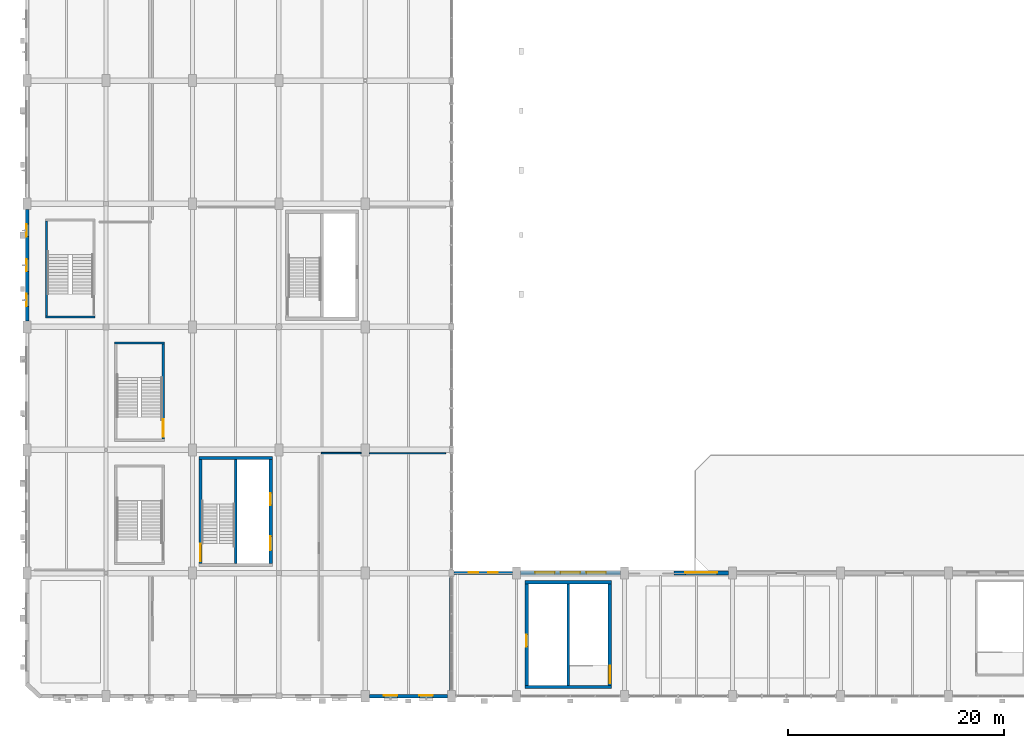
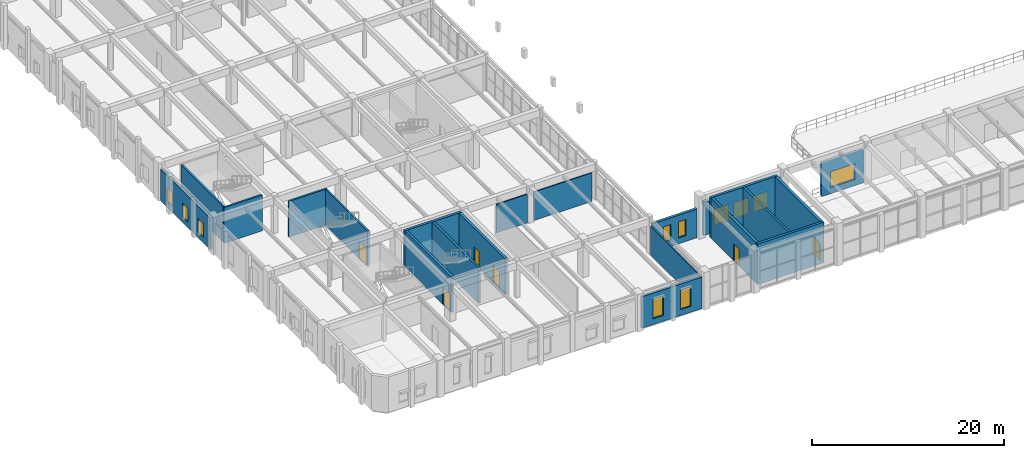
# One storey, part 80 of 106: 21 walls, 11 windows, 6 doors, 17 openings.
"""IFC4 building model written with IfcOpenShell, lengths in metres."""

from ifc_helpers import new_model, si_unit, direction, frame, frame_2d, origin, place, context, subcontext, project, spatial, rectangle, extrude, material, layer, layer_set, type_object, element, fill, save


model = new_model("IFC4")

# Units and contexts
model_context = context("Model", 3, precision=1e-05, world=origin(), true_north=direction((0.0, 1.0)))
body_context = subcontext(model_context, "Body", "Model", "MODEL_VIEW")
ifc_project = project(units=[si_unit("LENGTHUNIT", "METRE"), si_unit("AREAUNIT", "SQUARE_METRE"), si_unit("VOLUMEUNIT", "CUBIC_METRE"), si_unit("PLANEANGLEUNIT", "RADIAN"), si_unit("MASSUNIT", "GRAM", prefix="KILO"), si_unit("POWERUNIT", "WATT"), si_unit("THERMODYNAMICTEMPERATUREUNIT", "KELVIN")], contexts=[model_context])

# Site, building, storey
site_placement = place(None, origin())
site = spatial("IfcSite", under=ifc_project, at=site_placement, CompositionType="ELEMENT")
building_placement = place(site_placement, origin())
building = spatial("IfcBuilding", under=site, at=building_placement, Name="Kelmbourne Parkland Aquatics Centre", CompositionType="ELEMENT")
storey_placement = place(building_placement, frame((0.0, 0.0, 5.39990234375)))
storey = spatial("IfcBuildingStorey", under=building, at=storey_placement, Name="L01", CompositionType="ELEMENT", Elevation=5.39990234375)

# Walls
ifc_material_1 = material(Name="Concrete C40/50", Category="concrete")
ifc_layer_1 = layer(ifc_material_1, 0.25)
ifc_layer_set_1 = layer_set([ifc_layer_1], Name="Concrete C40/50")
wall_type_1 = type_object("IfcWallType", Name="W-CORE-250", PredefinedType="SHEAR", material=ifc_layer_set_1)
wall_1_placement = place(storey_placement, frame((20.0, 13.10009765625, 0.0), z_axis=(0.0, 0.0, 1.0), x_axis=(0.0, 1.0, 0.0)))
element("IfcWall", 1, at=wall_1_placement, inside=storey, type_object=wall_type_1, Name="West Wing South Fire-Fighting Core divider wall (L01)", PredefinedType="SHEAR", context=body_context, shape_type="SweptSolid", body=[
    extrude(rectangle(XDim=9.599853515625, YDim=0.25, at=frame_2d((4.7998046875, 0.0))), origin(), (0.0, 0.0, 1.0), 4.56005859375),
])
wall_2_placement = place(storey_placement, frame((50.800048828125, 1.800048828125, 0.0), z_axis=(0.0, 0.0, 1.0), x_axis=(0.0, 1.0, 0.0)))
element("IfcWall", 2, at=wall_2_placement, inside=storey, type_object=wall_type_1, Name="South Entrance Foyer Gallery Core divider wall (L01)", PredefinedType="SHEAR", context=body_context, shape_type="SweptSolid", body=[
    extrude(rectangle(XDim=9.39990234375, YDim=0.25, at=frame_2d((4.699951171875, 0.0))), origin(), (0.0, 0.0, 1.0), 5.16015625),
])
ifc_layer_2 = layer(ifc_material_1, 0.300048828125)
ifc_layer_set_2 = layer_set([ifc_layer_2], Name="Concrete C40/50")
wall_type_2 = type_object("IfcWallType", Name="W-CORE-300", PredefinedType="SHEAR", material=ifc_layer_set_2)
wall_3_placement = place(storey_placement, frame((16.60009765625, 22.85009765625, 0.0), z_axis=(0.0, 0.0, 1.0), x_axis=(1.0, 0.0, 0.0)))
element("IfcWall", 3, at=wall_3_placement, inside=storey, type_object=wall_type_2, Name="West Wing South Fire-Fighting Core north wall (L01)", PredefinedType="SHEAR", context=body_context, shape_type="SweptSolid", body=[
    extrude(rectangle(XDim=6.7998046875, YDim=0.300048828125, at=frame_2d((3.39990234375, 0.0))), origin(), (0.0, 0.0, 1.0), 4.56005859375),
])

# Wall, opening, door
wall_4_placement = place(storey_placement, frame((16.75, 13.10009765625, 0.0), z_axis=(0.0, 0.0, 1.0), x_axis=(0.0, 1.0, 0.0)))
wall_4 = element("IfcWall", 4, at=wall_4_placement, inside=storey, type_object=wall_type_2, Name="West Wing South Fire-Fighting Core west wall (L01)", PredefinedType="SHEAR", context=body_context, shape_type="SweptSolid", body=[
    extrude(rectangle(XDim=9.599853515625, YDim=0.300048828125, at=frame_2d((4.7998046875, 0.0))), origin(), (0.0, 0.0, 1.0), 4.56005859375),
])
opening_1_placement = place(wall_4_placement, frame((0.199951171875, 0.0, 0.0)))
opening_1 = element("IfcOpeningElement", 5, at=opening_1_placement, cuts=wall_4, Name="Opening FD02", PredefinedType="OPENING", context=body_context, shape_type="SweptSolid", body=[
    extrude(rectangle(XDim=1.60009765625, YDim=2.199951171875, at=frame_2d((0.800048828125, 1.10009765625))), frame((0.0, 0.162109375, 0.0), z_axis=(0.0, -1.0, 0.0), x_axis=(1.0, 0.0, 0.0)), (0.0, 0.0, 1.0), 0.323974609375),
])
ifc_material_2 = material(Name="Marine-grade stainless steel and fire-rated hardwood doorset", Category="steel")
ifc_layer_3 = layer(ifc_material_2, 0.050048828125)
ifc_layer_set_3 = layer_set([ifc_layer_3], Name="Marine-grade stainless steel and fire-rated hardwood doorset")
door_type_1 = type_object("IfcDoorType", Name="DR-FD-160", OperationType="NOTDEFINED", PredefinedType="DOOR", material=ifc_layer_set_3)
door_1_placement = place(opening_1_placement, origin())
door_1 = element("IfcDoor", 6, at=door_1_placement, inside=storey, type_object=door_type_1, Name="Fire stair door ST01 (L01)", OperationType="DOUBLE_DOOR_SINGLE_SWING", OverallHeight=2.199951171875, OverallWidth=1.60009765625, PredefinedType="DOOR", context=body_context, shape_type="SweptSolid", body=[
    extrude(rectangle(XDim=1.60009765625, YDim=2.199951171875, at=frame_2d((0.800048828125, 1.10009765625))), frame((0.0, 0.02490234375, 0.0), z_axis=(0.0, -1.0, 0.0), x_axis=(1.0, 0.0, 0.0)), (0.0, 0.0, 1.0), 0.050048828125),
])
fill(opening_1, door_1)

# Wall, openings, doors
wall_5_placement = place(storey_placement, frame((23.25, 13.10009765625, 0.0), z_axis=(0.0, 0.0, 1.0), x_axis=(0.0, 1.0, 0.0)))
wall_5 = element("IfcWall", 7, at=wall_5_placement, inside=storey, type_object=wall_type_2, Name="West Wing South Fire-Fighting Core east wall (L01)", PredefinedType="SHEAR", context=body_context, shape_type="SweptSolid", body=[
    extrude(rectangle(XDim=9.599853515625, YDim=0.300048828125, at=frame_2d((4.7998046875, 0.0))), origin(), (0.0, 0.0, 1.0), 4.56005859375),
])
opening_2_placement = place(wall_5_placement, frame((1.199951171875, 0.0, 0.0)))
opening_2 = element("IfcOpeningElement", 8, at=opening_2_placement, cuts=wall_5, Name="Opening LD02", PredefinedType="OPENING", context=body_context, shape_type="SweptSolid", body=[
    extrude(rectangle(XDim=1.300048828125, YDim=2.199951171875, at=frame_2d((0.64990234375, 1.10009765625))), frame((0.0, 0.162109375, 0.0), z_axis=(0.0, -1.0, 0.0), x_axis=(1.0, 0.0, 0.0)), (0.0, 0.0, 1.0), 0.323974609375),
])
opening_3_placement = place(wall_5_placement, frame((5.39990234375, 0.0, 0.0)))
opening_3 = element("IfcOpeningElement", 9, at=opening_3_placement, cuts=wall_5, Name="Opening LD01", PredefinedType="OPENING", context=body_context, shape_type="SweptSolid", body=[
    extrude(rectangle(XDim=1.10009765625, YDim=2.199951171875, at=frame_2d((0.550048828125, 1.10009765625))), frame((0.0, 0.162109375, 0.0), z_axis=(0.0, -1.0, 0.0), x_axis=(1.0, 0.0, 0.0)), (0.0, 0.0, 1.0), 0.323974609375),
])
ifc_layer_4 = layer(ifc_material_2, 0.050048828125)
ifc_layer_set_4 = layer_set([ifc_layer_4], Name="Marine-grade stainless steel and fire-rated hardwood doorset")
door_type_2 = type_object("IfcDoorType", Name="DR-LD-110", OperationType="NOTDEFINED", PredefinedType="DOOR", material=ifc_layer_set_4)
door_2_placement = place(opening_3_placement, origin())
door_2 = element("IfcDoor", 10, at=door_2_placement, inside=storey, type_object=door_type_2, Name="Lift landing sliding door LF02 (L01)", OperationType="SLIDING_TO_RIGHT", OverallHeight=2.199951171875, OverallWidth=1.10009765625, PredefinedType="DOOR", context=body_context, shape_type="SweptSolid", body=[
    extrude(rectangle(XDim=1.10009765625, YDim=2.199951171875, at=frame_2d((0.550048828125, 1.10009765625))), frame((0.0, 0.02490234375, 0.0), z_axis=(0.0, -1.0, 0.0), x_axis=(1.0, 0.0, 0.0)), (0.0, 0.0, 1.0), 0.050048828125),
])
fill(opening_3, door_2)
ifc_layer_5 = layer(ifc_material_2, 0.050048828125)
ifc_layer_set_5 = layer_set([ifc_layer_5], Name="Marine-grade stainless steel and fire-rated hardwood doorset")
door_type_3 = type_object("IfcDoorType", Name="DR-LD-130", OperationType="NOTDEFINED", PredefinedType="DOOR", material=ifc_layer_set_5)
door_3_placement = place(opening_2_placement, origin())
door_3 = element("IfcDoor", 11, at=door_3_placement, inside=storey, type_object=door_type_3, Name="Lift landing sliding door LF01 (L01)", OperationType="SLIDING_TO_LEFT", OverallHeight=2.199951171875, OverallWidth=1.300048828125, PredefinedType="DOOR", context=body_context, shape_type="SweptSolid", body=[
    extrude(rectangle(XDim=1.300048828125, YDim=2.199951171875, at=frame_2d((0.64990234375, 1.10009765625))), frame((0.0, 0.02490234375, 0.0), z_axis=(0.0, -1.0, 0.0), x_axis=(1.0, 0.0, 0.0)), (0.0, 0.0, 1.0), 0.050048828125),
])
fill(opening_2, door_3)

# Walls
for number, where, z_axis, x_axis, name in (
    (12, (46.800048828125, 1.64990234375, 0.0), (0.0, 0.0, 1.0), (1.0, 0.0, 0.0), "South Entrance Foyer Gallery Core south wall (L01)"),
    (13, (46.800048828125, 11.35009765625, 0.0), (0.0, 0.0, 1.0), (1.0, 0.0, 0.0), "South Entrance Foyer Gallery Core north wall (L01)"),
):
    element("IfcWall", number, at=place(storey_placement, frame(where, z_axis=z_axis, x_axis=x_axis)), inside=storey, type_object=wall_type_2, Name=name, PredefinedType="SHEAR", context=body_context, shape_type="SweptSolid", body=[
        extrude(rectangle(XDim=8.0, YDim=0.300048828125, at=frame_2d((4.0, 0.0))), origin(), (0.0, 0.0, 1.0), 5.16015625),
    ])

# Wall, opening, door
wall_6_placement = place(storey_placement, frame((46.949951171875, 1.800048828125, 0.0), z_axis=(0.0, 0.0, 1.0), x_axis=(0.0, 1.0, 0.0)))
wall_6 = element("IfcWall", 14, at=wall_6_placement, inside=storey, type_object=wall_type_2, Name="South Entrance Foyer Gallery Core west wall (L01)", PredefinedType="SHEAR", context=body_context, shape_type="SweptSolid", body=[
    extrude(rectangle(XDim=9.39990234375, YDim=0.300048828125, at=frame_2d((4.699951171875, 0.0))), origin(), (0.0, 0.0, 1.0), 5.16015625),
])
opening_4_placement = place(wall_6_placement, frame((3.60009765625, 0.0, 0.0)))
opening_4 = element("IfcOpeningElement", 15, at=opening_4_placement, cuts=wall_6, Name="Opening LD01", PredefinedType="OPENING", context=body_context, shape_type="SweptSolid", body=[
    extrude(rectangle(XDim=1.10009765625, YDim=2.199951171875, at=frame_2d((0.550048828125, 1.10009765625))), frame((0.0, 0.162109375, 0.0), z_axis=(0.0, -1.0, 0.0), x_axis=(1.0, 0.0, 0.0)), (0.0, 0.0, 1.0), 0.323974609375),
])
door_4_placement = place(opening_4_placement, origin())
door_4 = element("IfcDoor", 16, at=door_4_placement, inside=storey, type_object=door_type_2, Name="Lift landing sliding door LF04 (L01)", OperationType="SLIDING_TO_LEFT", OverallHeight=2.199951171875, OverallWidth=1.10009765625, PredefinedType="DOOR", context=body_context, shape_type="SweptSolid", body=[
    extrude(rectangle(XDim=1.10009765625, YDim=2.199951171875, at=frame_2d((0.550048828125, 1.10009765625))), frame((0.0, 0.02490234375, 0.0), z_axis=(0.0, -1.0, 0.0), x_axis=(1.0, 0.0, 0.0)), (0.0, 0.0, 1.0), 0.050048828125),
])
fill(opening_4, door_4)

wall_7_placement = place(storey_placement, frame((54.64990234375, 1.800048828125, 0.0), z_axis=(0.0, 0.0, 1.0), x_axis=(0.0, 1.0, 0.0)))
wall_7 = element("IfcWall", 17, at=wall_7_placement, inside=storey, type_object=wall_type_2, Name="South Entrance Foyer Gallery Core east wall (L01)", PredefinedType="SHEAR", context=body_context, shape_type="SweptSolid", body=[
    extrude(rectangle(XDim=9.39990234375, YDim=0.300048828125, at=frame_2d((4.699951171875, 0.0))), origin(), (0.0, 0.0, 1.0), 5.16015625),
])
opening_5_placement = place(wall_7_placement, frame((0.199951171875, 0.0, 0.0)))
opening_5 = element("IfcOpeningElement", 18, at=opening_5_placement, cuts=wall_7, Name="Opening FD02", PredefinedType="OPENING", context=body_context, shape_type="SweptSolid", body=[
    extrude(rectangle(XDim=1.60009765625, YDim=2.199951171875, at=frame_2d((0.800048828125, 1.10009765625))), frame((0.0, 0.162109375, 0.0), z_axis=(0.0, -1.0, 0.0), x_axis=(1.0, 0.0, 0.0)), (0.0, 0.0, 1.0), 0.323974609375),
])
door_5_placement = place(opening_5_placement, frame((1.60009765625, 0.0, 0.0), z_axis=(0.0, 0.0, 1.0), x_axis=(-1.0, 0.0, 0.0)))
door_5 = element("IfcDoor", 19, at=door_5_placement, inside=storey, type_object=door_type_1, Name="Fire stair door ST03 (L01)", OperationType="DOUBLE_DOOR_SINGLE_SWING", OverallHeight=2.199951171875, OverallWidth=1.60009765625, PredefinedType="DOOR", context=body_context, shape_type="SweptSolid", body=[
    extrude(rectangle(XDim=1.60009765625, YDim=2.199951171875, at=frame_2d((0.800048828125, 1.10009765625))), frame((0.0, 0.02490234375, 0.0), z_axis=(0.0, -1.0, 0.0), x_axis=(1.0, 0.0, 0.0)), (0.0, 0.0, 1.0), 0.050048828125),
])
fill(opening_5, door_5)

# Wall, openings, windows
ifc_material_3 = material(Name="Russet clinker clay brickwork", Category="masonry")
ifc_layer_6 = layer(ifc_material_3, 0.31005859375)
ifc_layer_set_6 = layer_set([ifc_layer_6], Name="Russet clinker clay brickwork")
wall_type_3 = type_object("IfcWallType", Name="W-EXT-310", PredefinedType="STANDARD", material=ifc_layer_set_6)
wall_8_placement = place(storey_placement, frame((0.699951171875, 35.552001953125, 0.0), z_axis=(0.0, 0.0, 1.0), x_axis=(0.0, 1.0, 0.0)))
wall_8 = element("IfcWall", 20, at=wall_8_placement, inside=storey, type_object=wall_type_3, Name="Exterior polychrome brick wall EW-L01-059", PredefinedType="STANDARD", context=body_context, shape_type="SweptSolid", body=[
    extrude(rectangle(XDim=10.2958984375, YDim=0.31005859375, at=frame_2d((5.14794921875, 0.0))), origin(), (0.0, 0.0, 1.0), 4.01220703125),
])
opening_6_placement = place(wall_8_placement, frame((1.35009765625, 0.0, 0.75)))
opening_6 = element("IfcOpeningElement", 21, at=opening_6_placement, cuts=wall_8, Name="Opening W02", PredefinedType="OPENING", context=body_context, shape_type="SweptSolid", body=[
    extrude(rectangle(XDim=1.14990234375, YDim=1.75, at=frame_2d((0.574951171875, 0.875))), frame((0.0, 0.1669921875, 0.0), z_axis=(0.0, -1.0, 0.0), x_axis=(1.0, 0.0, 0.0)), (0.0, 0.0, 1.0), 0.333984375),
])
opening_7_placement = place(wall_8_placement, frame((4.572998046875, 0.0, 0.75)))
opening_7 = element("IfcOpeningElement", 22, at=opening_7_placement, cuts=wall_8, Name="Opening W02", PredefinedType="OPENING", context=body_context, shape_type="SweptSolid", body=[
    extrude(rectangle(XDim=1.14990234375, YDim=1.75, at=frame_2d((0.574951171875, 0.875))), frame((0.0, 0.1669921875, 0.0), z_axis=(0.0, -1.0, 0.0), x_axis=(1.0, 0.0, 0.0)), (0.0, 0.0, 1.0), 0.333984375),
])
opening_8_placement = place(wall_8_placement, frame((7.7958984375, 0.0, 0.75)))
opening_8 = element("IfcOpeningElement", 23, at=opening_8_placement, cuts=wall_8, Name="Opening W02", PredefinedType="OPENING", context=body_context, shape_type="SweptSolid", body=[
    extrude(rectangle(XDim=1.14990234375, YDim=1.75, at=frame_2d((0.574951171875, 0.875))), frame((0.0, 0.1669921875, 0.0), z_axis=(0.0, -1.0, 0.0), x_axis=(1.0, 0.0, 0.0)), (0.0, 0.0, 1.0), 0.333984375),
])
ifc_material_4 = material(Name="Thermally broken anodised aluminium window with low-e glass", Category="aluminium")
ifc_layer_7 = layer(ifc_material_4, 0.090087890625)
ifc_layer_set_7 = layer_set([ifc_layer_7], Name="Thermally broken anodised aluminium window with low-e glass")
window_type_1 = type_object("IfcWindowType", Name="WN-02", PartitioningType="SINGLE_PANEL", PredefinedType="WINDOW", material=ifc_layer_set_7)
window_1_placement = place(opening_6_placement, origin())
window_1 = element("IfcWindow", 24, at=window_1_placement, inside=storey, type_object=window_type_1, Name="Deep-reveal masonry window W02", OverallHeight=1.75, OverallWidth=1.14990234375, PartitioningType="SINGLE_PANEL", PredefinedType="WINDOW", context=body_context, shape_type="SweptSolid", body=[
    extrude(rectangle(XDim=1.14990234375, YDim=1.75, at=frame_2d((0.574951171875, 0.875))), frame((0.0, 0.080078125, 0.0), z_axis=(0.0, -1.0, 0.0), x_axis=(1.0, 0.0, 0.0)), (0.0, 0.0, 1.0), 0.06005859375),
])
fill(opening_6, window_1)
window_2_placement = place(opening_7_placement, origin())
window_2 = element("IfcWindow", 25, at=window_2_placement, inside=storey, type_object=window_type_1, Name="Deep-reveal masonry window W02", OverallHeight=1.75, OverallWidth=1.14990234375, PartitioningType="SINGLE_PANEL", PredefinedType="WINDOW", context=body_context, shape_type="SweptSolid", body=[
    extrude(rectangle(XDim=1.14990234375, YDim=1.75, at=frame_2d((0.574951171875, 0.875))), frame((0.0, 0.080078125, 0.0), z_axis=(0.0, -1.0, 0.0), x_axis=(1.0, 0.0, 0.0)), (0.0, 0.0, 1.0), 0.06005859375),
])
fill(opening_7, window_2)
window_3_placement = place(opening_8_placement, origin())
window_3 = element("IfcWindow", 26, at=window_3_placement, inside=storey, type_object=window_type_1, Name="Deep-reveal masonry window W02", OverallHeight=1.75, OverallWidth=1.14990234375, PartitioningType="SINGLE_PANEL", PredefinedType="WINDOW", context=body_context, shape_type="SweptSolid", body=[
    extrude(rectangle(XDim=1.14990234375, YDim=1.75, at=frame_2d((0.574951171875, 0.875))), frame((0.0, 0.080078125, 0.0), z_axis=(0.0, -1.0, 0.0), x_axis=(1.0, 0.0, 0.0)), (0.0, 0.0, 1.0), 0.06005859375),
])
fill(opening_8, window_3)

wall_9_placement = place(storey_placement, frame((32.376953125, 0.800048828125, 0.0), z_axis=(0.0, 0.0, 1.0), x_axis=(1.0, 0.0, 0.0)))
wall_9 = element("IfcWall", 27, at=wall_9_placement, inside=storey, type_object=wall_type_3, Name="Exterior polychrome brick wall EW-L01-068", PredefinedType="STANDARD", context=body_context, shape_type="SweptSolid", body=[
    extrude(rectangle(XDim=7.24609375, YDim=0.31005859375, at=frame_2d((3.623046875, 0.0))), origin(), (0.0, 0.0, 1.0), 4.01220703125),
])
opening_9_placement = place(wall_9_placement, frame((1.35009765625, 0.0, 0.75)))
opening_9 = element("IfcOpeningElement", 28, at=opening_9_placement, cuts=wall_9, Name="Opening W25", PredefinedType="OPENING", context=body_context, shape_type="SweptSolid", body=[
    extrude(rectangle(XDim=1.25, YDim=2.5, at=frame_2d((0.625, 1.25))), frame((0.0, 0.1669921875, 0.0), z_axis=(0.0, -1.0, 0.0), x_axis=(1.0, 0.0, 0.0)), (0.0, 0.0, 1.0), 0.333984375),
])
opening_10_placement = place(wall_9_placement, frame((4.64599609375, 0.0, 0.75)))
opening_10 = element("IfcOpeningElement", 29, at=opening_10_placement, cuts=wall_9, Name="Opening W25", PredefinedType="OPENING", context=body_context, shape_type="SweptSolid", body=[
    extrude(rectangle(XDim=1.25, YDim=2.5, at=frame_2d((0.625, 1.25))), frame((0.0, 0.1669921875, 0.0), z_axis=(0.0, -1.0, 0.0), x_axis=(1.0, 0.0, 0.0)), (0.0, 0.0, 1.0), 0.333984375),
])
ifc_layer_8 = layer(ifc_material_4, 0.090087890625)
ifc_layer_set_8 = layer_set([ifc_layer_8], Name="Thermally broken anodised aluminium window with low-e glass")
window_type_2 = type_object("IfcWindowType", Name="WN-25", PartitioningType="SINGLE_PANEL", PredefinedType="WINDOW", material=ifc_layer_set_8)
window_4_placement = place(opening_9_placement, origin())
window_4 = element("IfcWindow", 30, at=window_4_placement, inside=storey, type_object=window_type_2, Name="Deep-reveal masonry window W25", OverallHeight=2.5, OverallWidth=1.25, PartitioningType="SINGLE_PANEL", PredefinedType="WINDOW", context=body_context, shape_type="SweptSolid", body=[
    extrude(rectangle(XDim=1.25, YDim=2.5, at=frame_2d((0.625, 1.25))), frame((0.0, 0.080078125, 0.0), z_axis=(0.0, -1.0, 0.0), x_axis=(1.0, 0.0, 0.0)), (0.0, 0.0, 1.0), 0.06005859375),
])
fill(opening_9, window_4)
window_5_placement = place(opening_10_placement, origin())
window_5 = element("IfcWindow", 31, at=window_5_placement, inside=storey, type_object=window_type_2, Name="Deep-reveal masonry window W25", OverallHeight=2.5, OverallWidth=1.25, PartitioningType="SINGLE_PANEL", PredefinedType="WINDOW", context=body_context, shape_type="SweptSolid", body=[
    extrude(rectangle(XDim=1.25, YDim=2.5, at=frame_2d((0.625, 1.25))), frame((0.0, 0.080078125, 0.0), z_axis=(0.0, -1.0, 0.0), x_axis=(1.0, 0.0, 0.0)), (0.0, 0.0, 1.0), 0.06005859375),
])
fill(opening_10, window_5)

wall_10_placement = place(storey_placement, frame((40.22705078125, 12.199951171875, 0.0), z_axis=(0.0, 0.0, 1.0), x_axis=(1.0, 0.0, 0.0)))
wall_10 = element("IfcWall", 32, at=wall_10_placement, inside=storey, type_object=wall_type_3, Name="Exterior polychrome brick wall EW-L01-074", PredefinedType="STANDARD", context=body_context, shape_type="SweptSolid", body=[
    extrude(rectangle(XDim=5.39599609375, YDim=0.31005859375, at=frame_2d((2.697998046875, 0.0))), origin(), (0.0, 0.0, 1.0), 3.64501953125),
])
opening_11_placement = place(wall_10_placement, frame((1.35009765625, 0.0, 0.75)))
opening_11 = element("IfcOpeningElement", 33, at=opening_11_placement, cuts=wall_10, Name="Opening W07", PredefinedType="OPENING", context=body_context, shape_type="SweptSolid", body=[
    extrude(rectangle(XDim=0.89990234375, YDim=2.050048828125, at=frame_2d((0.449951171875, 1.02490234375))), frame((0.0, 0.1669921875, 0.0), z_axis=(0.0, -1.0, 0.0), x_axis=(1.0, 0.0, 0.0)), (0.0, 0.0, 1.0), 0.333984375),
])
opening_12_placement = place(wall_10_placement, frame((3.14599609375, 0.0, 0.75)))
opening_12 = element("IfcOpeningElement", 34, at=opening_12_placement, cuts=wall_10, Name="Opening W07", PredefinedType="OPENING", context=body_context, shape_type="SweptSolid", body=[
    extrude(rectangle(XDim=0.89990234375, YDim=2.050048828125, at=frame_2d((0.449951171875, 1.02490234375))), frame((0.0, 0.1669921875, 0.0), z_axis=(0.0, -1.0, 0.0), x_axis=(1.0, 0.0, 0.0)), (0.0, 0.0, 1.0), 0.333984375),
])
ifc_layer_9 = layer(ifc_material_4, 0.090087890625)
ifc_layer_set_9 = layer_set([ifc_layer_9], Name="Thermally broken anodised aluminium window with low-e glass")
window_type_3 = type_object("IfcWindowType", Name="WN-07", PartitioningType="SINGLE_PANEL", PredefinedType="WINDOW", material=ifc_layer_set_9)
window_6_placement = place(opening_11_placement, origin())
window_6 = element("IfcWindow", 35, at=window_6_placement, inside=storey, type_object=window_type_3, Name="Deep-reveal masonry window W07", OverallHeight=2.050048828125, OverallWidth=0.89990234375, PartitioningType="SINGLE_PANEL", PredefinedType="WINDOW", context=body_context, shape_type="SweptSolid", body=[
    extrude(rectangle(XDim=0.89990234375, YDim=2.050048828125, at=frame_2d((0.449951171875, 1.02490234375))), frame((0.0, 0.080078125, 0.0), z_axis=(0.0, -1.0, 0.0), x_axis=(1.0, 0.0, 0.0)), (0.0, 0.0, 1.0), 0.06005859375),
])
fill(opening_11, window_6)
window_7_placement = place(opening_12_placement, origin())
window_7 = element("IfcWindow", 36, at=window_7_placement, inside=storey, type_object=window_type_3, Name="Deep-reveal masonry window W07", OverallHeight=2.050048828125, OverallWidth=0.89990234375, PartitioningType="SINGLE_PANEL", PredefinedType="WINDOW", context=body_context, shape_type="SweptSolid", body=[
    extrude(rectangle(XDim=0.89990234375, YDim=2.050048828125, at=frame_2d((0.449951171875, 1.02490234375))), frame((0.0, 0.080078125, 0.0), z_axis=(0.0, -1.0, 0.0), x_axis=(1.0, 0.0, 0.0)), (0.0, 0.0, 1.0), 0.06005859375),
])
fill(opening_12, window_7)

# Wall, opening, window
ifc_material_5 = material(Name="Polychrome glazed brick header coursework", Category="masonry")
ifc_layer_10 = layer(ifc_material_5, 0.35009765625)
ifc_layer_set_10 = layer_set([ifc_layer_10], Name="Polychrome glazed brick header coursework")
wall_type_4 = type_object("IfcWallType", Name="W-EXT-350", PredefinedType="STANDARD", material=ifc_layer_set_10)
wall_11_placement = place(storey_placement, frame((60.60009765625, 12.199951171875, 0.0), z_axis=(0.0, 0.0, 1.0), x_axis=(1.0, 0.0, 0.0)))
wall_11 = element("IfcWall", 37, at=wall_11_placement, inside=storey, type_object=wall_type_4, Name="Exterior polychrome brick wall EW-L01-076", PredefinedType="STANDARD", context=body_context, shape_type="SweptSolid", body=[
    extrude(rectangle(XDim=5.02294921875, YDim=0.35009765625, at=frame_2d((2.511474609375, 0.0))), origin(), (0.0, 0.0, 1.0), 4.2451171875),
])
opening_13_placement = place(wall_11_placement, frame((1.03662109375, 0.0, 0.75)))
opening_13 = element("IfcOpeningElement", 38, at=opening_13_placement, cuts=wall_11, Name="Opening W12", PredefinedType="OPENING", context=body_context, shape_type="SweptSolid", body=[
    extrude(rectangle(XDim=2.949951171875, YDim=2.050048828125, at=frame_2d((1.47509765625, 1.02490234375))), frame((0.0, 0.18701171875, 0.0), z_axis=(0.0, -1.0, 0.0), x_axis=(1.0, 0.0, 0.0)), (0.0, 0.0, 1.0), 0.3740234375),
])
ifc_layer_11 = layer(ifc_material_4, 0.090087890625)
ifc_layer_set_11 = layer_set([ifc_layer_11], Name="Thermally broken anodised aluminium window with low-e glass")
window_type_4 = type_object("IfcWindowType", Name="WN-12", PartitioningType="TRIPLE_PANEL_VERTICAL", PredefinedType="WINDOW", material=ifc_layer_set_11)
window_8_placement = place(opening_13_placement, origin())
window_8 = element("IfcWindow", 39, at=window_8_placement, inside=storey, type_object=window_type_4, Name="Deep-reveal masonry window W12", OverallHeight=2.050048828125, OverallWidth=2.949951171875, PartitioningType="TRIPLE_PANEL_VERTICAL", PredefinedType="WINDOW", context=body_context, shape_type="SweptSolid", body=[
    extrude(rectangle(XDim=2.949951171875, YDim=2.050048828125, at=frame_2d((1.47509765625, 1.02490234375))), frame((0.0, 0.080078125, 0.0), z_axis=(0.0, -1.0, 0.0), x_axis=(1.0, 0.0, 0.0)), (0.0, 0.0, 1.0), 0.06005859375),
])
fill(opening_13, window_8)

# Wall, openings, windows
ifc_layer_12 = layer(ifc_material_3, 0.389892578125)
ifc_layer_set_12 = layer_set([ifc_layer_12], Name="Russet clinker clay brickwork")
wall_type_5 = type_object("IfcWallType", Name="W-EXT-390", PredefinedType="STANDARD", material=ifc_layer_set_12)
wall_12_placement = place(storey_placement, frame((46.376953125, 12.199951171875, 0.0), z_axis=(0.0, 0.0, 1.0), x_axis=(1.0, 0.0, 0.0)))
wall_12 = element("IfcWall", 40, at=wall_12_placement, inside=storey, type_object=wall_type_5, Name="Exterior polychrome brick wall EW-L01-075", PredefinedType="STANDARD", context=body_context, shape_type="SweptSolid", body=[
    extrude(rectangle(XDim=9.24609375, YDim=0.389892578125, at=frame_2d((4.623046875, 0.0))), origin(), (0.0, 0.0, 1.0), 4.2451171875),
])
opening_14_placement = place(wall_12_placement, frame((1.35009765625, 0.0, 0.75)))
opening_14 = element("IfcOpeningElement", 41, at=opening_14_placement, cuts=wall_12, Name="Opening W10", PredefinedType="OPENING", context=body_context, shape_type="SweptSolid", body=[
    extrude(rectangle(XDim=1.800048828125, YDim=2.050048828125, at=frame_2d((0.89990234375, 1.02490234375))), frame((0.0, 0.20703125, 0.0), z_axis=(0.0, -1.0, 0.0), x_axis=(1.0, 0.0, 0.0)), (0.0, 0.0, 1.0), 0.413818359375),
])
opening_15_placement = place(wall_12_placement, frame((3.722900390625, 0.0, 0.75)))
opening_15 = element("IfcOpeningElement", 42, at=opening_15_placement, cuts=wall_12, Name="Opening W10", PredefinedType="OPENING", context=body_context, shape_type="SweptSolid", body=[
    extrude(rectangle(XDim=1.800048828125, YDim=2.050048828125, at=frame_2d((0.89990234375, 1.02490234375))), frame((0.0, 0.20703125, 0.0), z_axis=(0.0, -1.0, 0.0), x_axis=(1.0, 0.0, 0.0)), (0.0, 0.0, 1.0), 0.413818359375),
])
opening_16_placement = place(wall_12_placement, frame((6.095947265625, 0.0, 0.75)))
opening_16 = element("IfcOpeningElement", 43, at=opening_16_placement, cuts=wall_12, Name="Opening W10", PredefinedType="OPENING", context=body_context, shape_type="SweptSolid", body=[
    extrude(rectangle(XDim=1.800048828125, YDim=2.050048828125, at=frame_2d((0.89990234375, 1.02490234375))), frame((0.0, 0.20703125, 0.0), z_axis=(0.0, -1.0, 0.0), x_axis=(1.0, 0.0, 0.0)), (0.0, 0.0, 1.0), 0.413818359375),
])
ifc_layer_13 = layer(ifc_material_4, 0.090087890625)
ifc_layer_set_13 = layer_set([ifc_layer_13], Name="Thermally broken anodised aluminium window with low-e glass")
window_type_5 = type_object("IfcWindowType", Name="WN-10", PartitioningType="DOUBLE_PANEL_VERTICAL", PredefinedType="WINDOW", material=ifc_layer_set_13)
window_9_placement = place(opening_14_placement, origin())
window_9 = element("IfcWindow", 44, at=window_9_placement, inside=storey, type_object=window_type_5, Name="Deep-reveal masonry window W10", OverallHeight=2.050048828125, OverallWidth=1.800048828125, PartitioningType="DOUBLE_PANEL_VERTICAL", PredefinedType="WINDOW", context=body_context, shape_type="SweptSolid", body=[
    extrude(rectangle(XDim=1.800048828125, YDim=2.050048828125, at=frame_2d((0.89990234375, 1.02490234375))), frame((0.0, 0.080078125, 0.0), z_axis=(0.0, -1.0, 0.0), x_axis=(1.0, 0.0, 0.0)), (0.0, 0.0, 1.0), 0.06005859375),
])
fill(opening_14, window_9)
window_10_placement = place(opening_15_placement, origin())
window_10 = element("IfcWindow", 45, at=window_10_placement, inside=storey, type_object=window_type_5, Name="Deep-reveal masonry window W10", OverallHeight=2.050048828125, OverallWidth=1.800048828125, PartitioningType="DOUBLE_PANEL_VERTICAL", PredefinedType="WINDOW", context=body_context, shape_type="SweptSolid", body=[
    extrude(rectangle(XDim=1.800048828125, YDim=2.050048828125, at=frame_2d((0.89990234375, 1.02490234375))), frame((0.0, 0.080078125, 0.0), z_axis=(0.0, -1.0, 0.0), x_axis=(1.0, 0.0, 0.0)), (0.0, 0.0, 1.0), 0.06005859375),
])
fill(opening_15, window_10)
window_11_placement = place(opening_16_placement, origin())
window_11 = element("IfcWindow", 46, at=window_11_placement, inside=storey, type_object=window_type_5, Name="Deep-reveal masonry window W10", OverallHeight=2.050048828125, OverallWidth=1.800048828125, PartitioningType="DOUBLE_PANEL_VERTICAL", PredefinedType="WINDOW", context=body_context, shape_type="SweptSolid", body=[
    extrude(rectangle(XDim=1.800048828125, YDim=2.050048828125, at=frame_2d((0.89990234375, 1.02490234375))), frame((0.0, 0.080078125, 0.0), z_axis=(0.0, -1.0, 0.0), x_axis=(1.0, 0.0, 0.0)), (0.0, 0.0, 1.0), 0.06005859375),
])
fill(opening_16, window_11)

# Wall
ifc_material_6 = material(Name="Concrete blockwork C32/40", Category="masonry")
ifc_layer_14 = layer(ifc_material_6, 0.199951171875)
ifc_layer_set_14 = layer_set([ifc_layer_14], Name="Concrete blockwork C32/40")
wall_type_6 = type_object("IfcWallType", Name="W-FIRE-200", PredefinedType="SOLIDWALL", material=ifc_layer_set_14)
wall_13_placement = place(storey_placement, frame((8.800048828125, 33.5, 0.0), z_axis=(0.0, 0.0, 1.0), x_axis=(1.0, 0.0, 0.0)))
element("IfcWall", 47, at=wall_13_placement, inside=storey, type_object=wall_type_6, Name="West Central Park Exit Stair north enclosure (L01)", PredefinedType="SOLIDWALL", context=body_context, shape_type="SweptSolid", body=[
    extrude(rectangle(XDim=4.599853515625, YDim=0.199951171875, at=frame_2d((2.2998046875, 0.0))), origin(), (0.0, 0.0, 1.0), 4.56005859375),
])

# Wall, opening, door
wall_14_placement = place(storey_placement, frame((13.300048828125, 24.60009765625, 0.0), z_axis=(0.0, 0.0, 1.0), x_axis=(0.0, 1.0, 0.0)))
wall_14 = element("IfcWall", 48, at=wall_14_placement, inside=storey, type_object=wall_type_6, Name="West Central Park Exit Stair east enclosure (L01)", PredefinedType="SOLIDWALL", context=body_context, shape_type="SweptSolid", body=[
    extrude(rectangle(XDim=8.7998046875, YDim=0.199951171875, at=frame_2d((4.39990234375, 0.0))), origin(), (0.0, 0.0, 1.0), 4.56005859375),
])
opening_17_placement = place(wall_14_placement, frame((0.219970703125, 0.0, 0.0)))
opening_17 = element("IfcOpeningElement", 49, at=opening_17_placement, cuts=wall_14, Name="Opening FD02", PredefinedType="OPENING", context=body_context, shape_type="SweptSolid", body=[
    extrude(rectangle(XDim=1.60009765625, YDim=2.199951171875, at=frame_2d((0.800048828125, 1.10009765625))), frame((0.0, 0.11181640625, 0.0), z_axis=(0.0, -1.0, 0.0), x_axis=(1.0, 0.0, 0.0)), (0.0, 0.0, 1.0), 0.223876953125),
])
door_6_placement = place(opening_17_placement, frame((1.60009765625, 0.0, 0.0), z_axis=(0.0, 0.0, 1.0), x_axis=(-1.0, 0.0, 0.0)))
door_6 = element("IfcDoor", 50, at=door_6_placement, inside=storey, type_object=door_type_1, Name="Exit stair fire door ST07 (L01)", OperationType="DOUBLE_DOOR_SINGLE_SWING", OverallHeight=2.199951171875, OverallWidth=1.60009765625, PredefinedType="DOOR", context=body_context, shape_type="SweptSolid", body=[
    extrude(rectangle(XDim=1.60009765625, YDim=2.199951171875, at=frame_2d((0.800048828125, 1.10009765625))), frame((0.0, 0.02490234375, 0.0), z_axis=(0.0, -1.0, 0.0), x_axis=(1.0, 0.0, 0.0)), (0.0, 0.0, 1.0), 0.050048828125),
])
fill(opening_17, door_6)

# Walls
wall_15_placement = place(storey_placement, frame((2.39990234375, 35.89990234375, 0.0), z_axis=(0.0, 0.0, 1.0), x_axis=(1.0, 0.0, 0.0)))
element("IfcWall", 51, at=wall_15_placement, inside=storey, type_object=wall_type_6, Name="West Hydrotherapy Exit Stair south enclosure (L01)", PredefinedType="SOLIDWALL", context=body_context, shape_type="SweptSolid", body=[
    extrude(rectangle(XDim=4.60009765625, YDim=0.199951171875, at=frame_2d((2.300048828125, 0.0))), origin(), (0.0, 0.0, 1.0), 4.56005859375),
])
wall_16_placement = place(storey_placement, frame((2.5, 36.0, 0.0), z_axis=(0.0, 0.0, 1.0), x_axis=(0.0, 1.0, 0.0)))
element("IfcWall", 52, at=wall_16_placement, inside=storey, type_object=wall_type_6, Name="West Hydrotherapy Exit Stair west enclosure (L01)", PredefinedType="SOLIDWALL", context=body_context, shape_type="SweptSolid", body=[
    extrude(rectangle(XDim=8.800048828125, YDim=0.199951171875, at=frame_2d((4.39990234375, 0.0))), origin(), (0.0, 0.0, 1.0), 4.56005859375),
])
ifc_material_7 = material(Name="Moisture-resistant acoustic stud partition", Category="gypsum")
ifc_layer_15 = layer(ifc_material_7, 0.1201171875)
ifc_layer_set_15 = layer_set([ifc_layer_15], Name="Moisture-resistant acoustic stud partition")
wall_type_7 = type_object("IfcWallType", Name="W-PART-120", PredefinedType="PARTITIONING", material=ifc_layer_set_15)
wall_17_placement = place(storey_placement, frame((32.376953125, 23.300048828125, 0.0), z_axis=(0.0, 0.0, 1.0), x_axis=(1.0, 0.0, 0.0)))
element("IfcWall", 53, at=wall_17_placement, inside=storey, type_object=wall_type_7, Name="Interior partition PT-L01-069", PredefinedType="PARTITIONING", context=body_context, shape_type="SweptSolid", body=[
    extrude(rectangle(XDim=7.072998046875, YDim=0.1201171875, at=frame_2d((3.53662109375, 0.0))), origin(), (0.0, 0.0, 1.0), 3.64501953125),
])
ifc_layer_16 = layer(ifc_material_7, 0.14990234375)
ifc_layer_set_16 = layer_set([ifc_layer_16], Name="Moisture-resistant acoustic stud partition")
wall_type_8 = type_object("IfcWallType", Name="W-PART-150", PredefinedType="PARTITIONING", material=ifc_layer_set_16)
wall_18_placement = place(storey_placement, frame((27.949951171875, 23.300048828125, 0.0), z_axis=(0.0, 0.0, 1.0), x_axis=(1.0, 0.0, 0.0)))
element("IfcWall", 54, at=wall_18_placement, inside=storey, type_object=wall_type_8, Name="Interior partition PT-L01-068", PredefinedType="PARTITIONING", context=body_context, shape_type="SweptSolid", body=[
    extrude(rectangle(XDim=3.673095703125, YDim=0.14990234375, at=frame_2d((1.83642578125, 0.0))), origin(), (0.0, 0.0, 1.0), 3.64501953125),
])
wall_19_placement = place(storey_placement, frame((39.89990234375, 1.35205078125, 0.0), z_axis=(0.0, 0.0, 1.0), x_axis=(0.0, 1.0, 0.0)))
element("IfcWall", 55, at=wall_19_placement, inside=storey, type_object=wall_type_8, Name="Interior partition PT-L01-070", PredefinedType="PARTITIONING", context=body_context, shape_type="SweptSolid", body=[
    extrude(rectangle(XDim=10.39794921875, YDim=0.14990234375, at=frame_2d((5.198974609375, 0.0))), origin(), (0.0, 0.0, 1.0), 3.64501953125),
])

save(model, "model.ifc")
